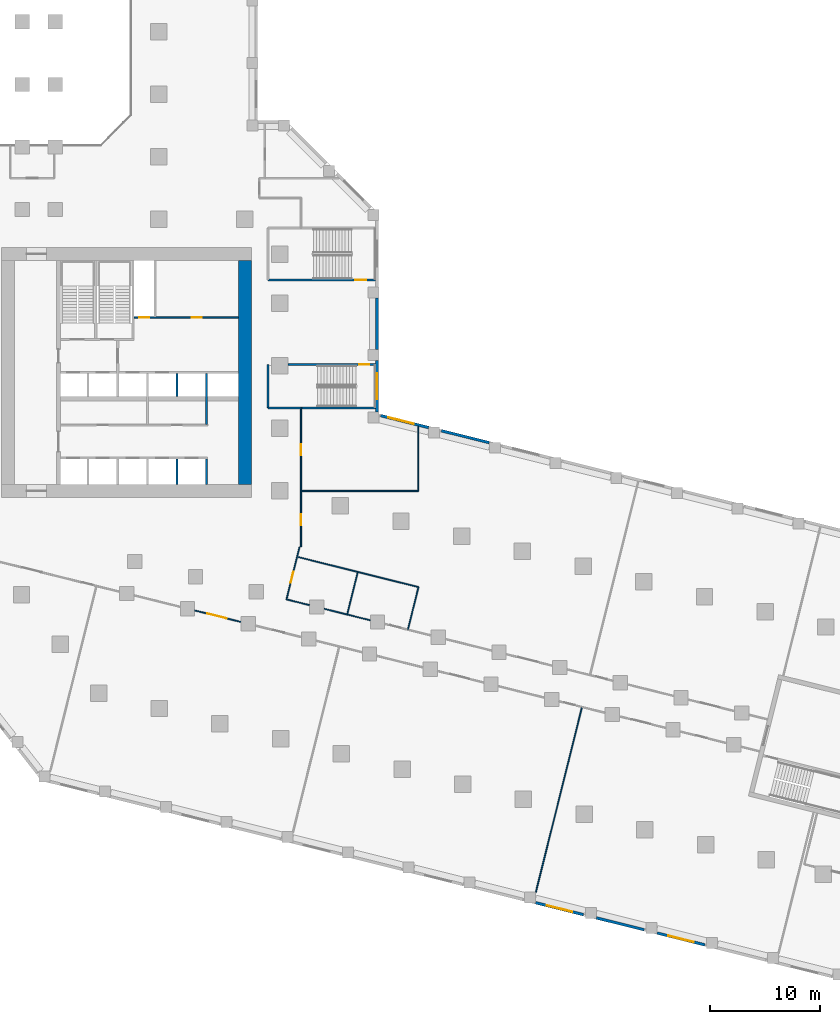
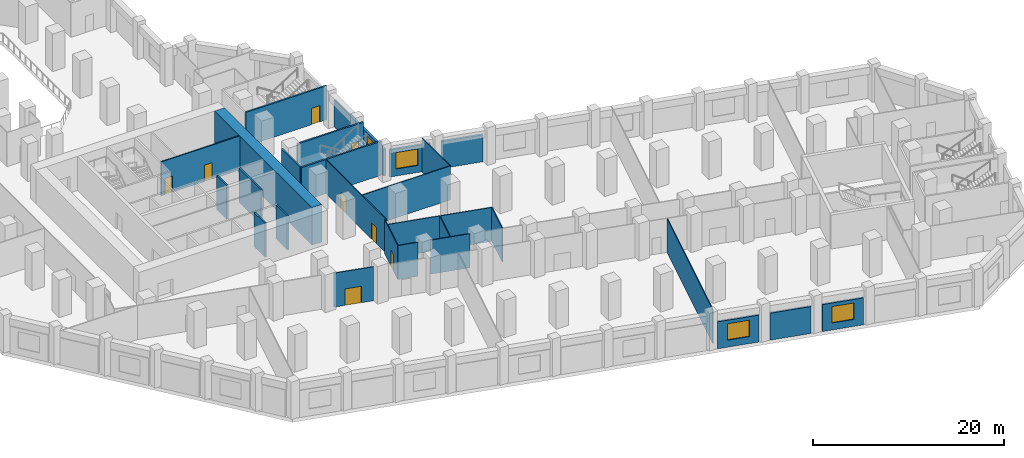
# One storey, part 5 of 16: 29 walls, 8 doors, 4 windows, 12 openings.
"""IFC4 building model written with IfcOpenShell, lengths in metres."""

from ifc_helpers import new_model, si_unit, direction, frame, frame_2d, origin, place, context, subcontext, project, spatial, rectangle, extrude, material, layer, layer_set, type_object, element, fill, save


model = new_model("IFC4")

# Units and contexts
model_context = context("Model", 3, precision=1e-05, world=origin(), true_north=direction((0.0, 1.0)))
body_context = subcontext(model_context, "Body", "Model", "MODEL_VIEW")
ifc_project = project(units=[si_unit("LENGTHUNIT", "METRE"), si_unit("AREAUNIT", "SQUARE_METRE"), si_unit("VOLUMEUNIT", "CUBIC_METRE"), si_unit("PLANEANGLEUNIT", "RADIAN"), si_unit("MASSUNIT", "GRAM", prefix="KILO")], contexts=[model_context])

# Site, building, storey
site_placement = place(None, origin())
site = spatial("IfcSite", under=ifc_project, at=site_placement, CompositionType="ELEMENT")
building_placement = place(site_placement, origin())
building = spatial("IfcBuilding", under=site, at=building_placement, Name="Meshkara Civic Tower", CompositionType="ELEMENT")
storey_placement = place(building_placement, frame((0.0, 0.0, 18.60009765625)))
storey = spatial("IfcBuildingStorey", under=building, at=storey_placement, Name="L03", CompositionType="ELEMENT", Elevation=18.60009765625)

# Wall, openings, doors
ifc_material_1 = material(Name="Blockwork", Category="masonry")
ifc_layer_1 = layer(ifc_material_1, 0.14990234375)
ifc_layer_set_1 = layer_set([ifc_layer_1], Name="Core partition 150")
wall_type_1 = type_object("IfcWallType", Name="Core partition 150", PredefinedType="PARTITIONING", material=ifc_layer_set_1)
wall_1_placement = place(storey_placement, frame((20.10009765625, 30.5, 0.0), z_axis=(0.0, 0.0, 1.0), x_axis=(1.0, 0.0, 0.0)))
wall_1 = element("IfcWall", 1, at=wall_1_placement, inside=storey, type_object=wall_type_1, Name="L03-C010", PredefinedType="PARTITIONING", context=body_context, shape_type="SweptSolid", body=[
    extrude(rectangle(XDim=9.5, YDim=0.14990234375, at=frame_2d((4.75, 0.0))), origin(), (0.0, 0.0, 1.0), 4.349853515625),
])
opening_1_placement = place(wall_1_placement, frame((0.449951171875, 0.0, 0.0)))
opening_1 = element("IfcOpeningElement", 2, at=opening_1_placement, cuts=wall_1, Name="Opening L03-K012", PredefinedType="OPENING", context=body_context, shape_type="SweptSolid", body=[
    extrude(rectangle(XDim=0.89990234375, YDim=2.10009765625, at=frame_2d((0.449951171875, 1.050048828125))), frame((0.0, 0.0849609375, 0.0), z_axis=(0.0, -1.0, 0.0), x_axis=(1.0, 0.0, 0.0)), (0.0, 0.0, 1.0), 0.169921875),
])
opening_2_placement = place(wall_1_placement, frame((5.25, 0.0, 0.0)))
opening_2 = element("IfcOpeningElement", 3, at=opening_2_placement, cuts=wall_1, Name="Opening L03-K013", PredefinedType="OPENING", context=body_context, shape_type="SweptSolid", body=[
    extrude(rectangle(XDim=0.89990234375, YDim=2.10009765625, at=frame_2d((0.449951171875, 1.050048828125))), frame((0.0, 0.0849609375, 0.0), z_axis=(0.0, -1.0, 0.0), x_axis=(1.0, 0.0, 0.0)), (0.0, 0.0, 1.0), 0.169921875),
])
ifc_material_2 = material(Name="Timber door leaf in steel frame", Category="steel")
door_type_1 = type_object("IfcDoorType", Name="Core room door 900", OperationType="SINGLE_SWING_LEFT", PredefinedType="DOOR", material=ifc_material_2)
door_1_placement = place(opening_2_placement, origin())
door_1 = element("IfcDoor", 4, at=door_1_placement, inside=storey, type_object=door_type_1, Name="L03-K013", OperationType="SINGLE_SWING_LEFT", OverallHeight=2.10009765625, OverallWidth=0.89990234375, PredefinedType="DOOR", context=body_context, shape_type="SweptSolid", body=[
    extrude(rectangle(XDim=0.89990234375, YDim=2.10009765625, at=frame_2d((0.449951171875, 1.050048828125))), frame((0.0, 0.02490234375, 0.0), z_axis=(0.0, -1.0, 0.0), x_axis=(1.0, 0.0, 0.0)), (0.0, 0.0, 1.0), 0.050048828125),
])
fill(opening_2, door_1)
ifc_material_3 = material(Name="Fire-rated door leaf in steel frame", Category="steel")
door_type_2 = type_object("IfcDoorType", Name="Riser door 900", OperationType="SINGLE_SWING_LEFT", PredefinedType="DOOR", material=ifc_material_3)
door_2_placement = place(opening_1_placement, origin())
door_2 = element("IfcDoor", 5, at=door_2_placement, inside=storey, type_object=door_type_2, Name="L03-K012", OperationType="SINGLE_SWING_RIGHT", OverallHeight=2.10009765625, OverallWidth=0.89990234375, PredefinedType="DOOR", context=body_context, shape_type="SweptSolid", body=[
    extrude(rectangle(XDim=0.89990234375, YDim=2.10009765625, at=frame_2d((0.449951171875, 1.050048828125))), frame((0.0, 0.02490234375, 0.0), z_axis=(0.0, -1.0, 0.0), x_axis=(1.0, 0.0, 0.0)), (0.0, 0.0, 1.0), 0.050048828125),
])
fill(opening_1, door_2)

# Wall
ifc_material_4 = material(Name="Concrete C80", Category="concrete")
ifc_layer_2 = layer(ifc_material_4, 1.199951171875)
ifc_layer_set_2 = layer_set([ifc_layer_2], Name="Core ring wall 1200 C80")
wall_type_2 = type_object("IfcWallType", Name="Core ring wall 1200 C80", PredefinedType="SHEAR", material=ifc_layer_set_2)
wall_2_placement = place(storey_placement, frame((30.199951171875, 15.300048828125, -0.4501953125), z_axis=(0.0, 0.0, 1.0), x_axis=(0.0, 1.0, 0.0)))
element("IfcWall", 6, at=wall_2_placement, inside=storey, type_object=wall_type_2, Name="L03-C004", PredefinedType="SHEAR", context=body_context, shape_type="SweptSolid", body=[
    extrude(rectangle(XDim=20.39990234375, YDim=1.199951171875, at=frame_2d((10.199951171875, 0.0))), origin(), (0.0, 0.0, 1.0), 4.800048828125),
])

# Wall, opening, door
ifc_material_5 = material(Name="Corridor wall 100")
ifc_layer_3 = layer(ifc_material_5, 0.10009765625)
ifc_layer_set_3 = layer_set([ifc_layer_3], Name="Corridor wall 100")
wall_type_3 = type_object("IfcWallType", Name="Corridor wall 100", PredefinedType="PARTITIONING", material=ifc_layer_set_3)
wall_3_placement = place(storey_placement, frame((25.6240234375, 3.81396484375, 0.0), z_axis=(0.0, 0.0, 1.0), x_axis=(0.970348308202, -0.24171090329, 0.0)))
wall_3 = element("IfcWall", 7, at=wall_3_placement, inside=storey, type_object=wall_type_3, Name="L03-R034", PredefinedType="PARTITIONING", context=body_context, shape_type="SweptSolid", body=[
    extrude(rectangle(XDim=4.319091796875, YDim=0.10009765625, at=frame_2d((2.15966796875, 0.0))), origin(), (0.0, 0.0, 1.0), 4.349853515625),
])
opening_3_placement = place(wall_3_placement, frame((1.179931640625, 0.0, 0.0)))
opening_3 = element("IfcOpeningElement", 8, at=opening_3_placement, cuts=wall_3, Name="Opening L03-P013", PredefinedType="OPENING", context=body_context, shape_type="SweptSolid", body=[
    extrude(rectangle(XDim=1.800048828125, YDim=2.10009765625, at=frame_2d((0.89990234375, 1.050048828125))), frame((0.0, 0.06005859375, 0.0), z_axis=(0.0, -1.0, 0.0), x_axis=(1.0, 0.0, 0.0)), (0.0, 0.0, 1.0), 0.1201171875),
])
ifc_material_6 = material(Name="Door pair 1800 x 2100")
door_type_3 = type_object("IfcDoorType", Name="Door pair 1800 x 2100", OperationType="SINGLE_SWING_LEFT", PredefinedType="DOOR", material=ifc_material_6)
door_3_placement = place(opening_3_placement, origin())
door_3 = element("IfcDoor", 9, at=door_3_placement, inside=storey, type_object=door_type_3, Name="L03-P013", OperationType="DOUBLE_DOOR_SINGLE_SWING", OverallHeight=2.10009765625, OverallWidth=1.800048828125, PredefinedType="DOOR", context=body_context, shape_type="SweptSolid", body=[
    extrude(rectangle(XDim=1.800048828125, YDim=2.10009765625, at=frame_2d((0.89990234375, 1.050048828125))), frame((0.0, 0.02490234375, 0.0), z_axis=(0.0, -1.0, 0.0), x_axis=(1.0, 0.0, 0.0)), (0.0, 0.0, 1.0), 0.050048828125),
])
fill(opening_3, door_3)

wall_4_placement = place(storey_placement, frame((33.97607421875, 4.823974609375, 0.0), z_axis=(0.0, 0.0, 1.0), x_axis=(0.241940400058, 0.970291112409, 0.0)))
wall_4 = element("IfcWall", 10, at=wall_4_placement, inside=storey, type_object=wall_type_3, Name="L03-R045", PredefinedType="PARTITIONING", context=body_context, shape_type="SweptSolid", body=[
    extrude(rectangle(XDim=4.92236328125, YDim=0.10009765625, at=frame_2d((2.461181640625, 0.0))), origin(), (0.0, 0.0, 1.0), 4.349853515625),
])
opening_4_placement = place(wall_4_placement, frame((1.580078125, 0.0, 0.0)))
opening_4 = element("IfcOpeningElement", 11, at=opening_4_placement, cuts=wall_4, Name="Opening L03-P019", PredefinedType="OPENING", context=body_context, shape_type="SweptSolid", body=[
    extrude(rectangle(XDim=1.0, YDim=2.10009765625, at=frame_2d((0.5, 1.050048828125))), frame((0.0, 0.06005859375, 0.0), z_axis=(0.0, -1.0, 0.0), x_axis=(1.0, 0.0, 0.0)), (0.0, 0.0, 1.0), 0.1201171875),
])
ifc_material_7 = material(Name="Door 1000 x 2100")
door_type_4 = type_object("IfcDoorType", Name="Door 1000 x 2100", OperationType="SINGLE_SWING_LEFT", PredefinedType="DOOR", material=ifc_material_7)
door_4_placement = place(opening_4_placement, origin())
door_4 = element("IfcDoor", 12, at=door_4_placement, inside=storey, type_object=door_type_4, Name="L03-P019", OperationType="SINGLE_SWING_RIGHT", OverallHeight=2.10009765625, OverallWidth=1.0, PredefinedType="DOOR", context=body_context, shape_type="SweptSolid", body=[
    extrude(rectangle(XDim=1.0, YDim=2.10009765625, at=frame_2d((0.5, 1.050048828125))), frame((0.0, 0.02490234375, 0.0), z_axis=(0.0, -1.0, 0.0), x_axis=(1.0, 0.0, 0.0)), (0.0, 0.0, 1.0), 0.050048828125),
])
fill(opening_4, door_4)

# Wall, openings, doors
wall_5_placement = place(storey_placement, frame((35.300048828125, 9.60009765625, 0.0), z_axis=(0.0, 0.0, 1.0), x_axis=(0.0, 1.0, 0.0)))
wall_5 = element("IfcWall", 13, at=wall_5_placement, inside=storey, type_object=wall_type_3, Name="L03-R047", PredefinedType="PARTITIONING", context=body_context, shape_type="SweptSolid", body=[
    extrude(rectangle(XDim=12.6748046875, YDim=0.10009765625, at=frame_2d((6.33740234375, 0.0))), origin(), (0.0, 0.0, 1.0), 4.349853515625),
])
opening_5_placement = place(wall_5_placement, frame((1.97998046875, 0.0, 0.0)))
opening_5 = element("IfcOpeningElement", 14, at=opening_5_placement, cuts=wall_5, Name="Opening L03-P020", PredefinedType="OPENING", context=body_context, shape_type="SweptSolid", body=[
    extrude(rectangle(XDim=1.0, YDim=2.10009765625, at=frame_2d((0.5, 1.050048828125))), frame((0.0, 0.06005859375, 0.0), z_axis=(0.0, -1.0, 0.0), x_axis=(1.0, 0.0, 0.0)), (0.0, 0.0, 1.0), 0.1201171875),
])
opening_6_placement = place(wall_5_placement, frame((8.3798828125, 0.0, 0.0)))
opening_6 = element("IfcOpeningElement", 15, at=opening_6_placement, cuts=wall_5, Name="Opening L03-P022", PredefinedType="OPENING", context=body_context, shape_type="SweptSolid", body=[
    extrude(rectangle(XDim=1.0, YDim=2.10009765625, at=frame_2d((0.5, 1.050048828125))), frame((0.0, 0.06005859375, 0.0), z_axis=(0.0, -1.0, 0.0), x_axis=(1.0, 0.0, 0.0)), (0.0, 0.0, 1.0), 0.1201171875),
])
door_5_placement = place(opening_5_placement, origin())
door_5 = element("IfcDoor", 16, at=door_5_placement, inside=storey, type_object=door_type_4, Name="L03-P020", OperationType="SINGLE_SWING_LEFT", OverallHeight=2.10009765625, OverallWidth=1.0, PredefinedType="DOOR", context=body_context, shape_type="SweptSolid", body=[
    extrude(rectangle(XDim=1.0, YDim=2.10009765625, at=frame_2d((0.5, 1.050048828125))), frame((0.0, 0.02490234375, 0.0), z_axis=(0.0, -1.0, 0.0), x_axis=(1.0, 0.0, 0.0)), (0.0, 0.0, 1.0), 0.050048828125),
])
fill(opening_5, door_5)
door_6_placement = place(opening_6_placement, origin())
door_6 = element("IfcDoor", 17, at=door_6_placement, inside=storey, type_object=door_type_4, Name="L03-P022", OperationType="SINGLE_SWING_LEFT", OverallHeight=2.10009765625, OverallWidth=1.0, PredefinedType="DOOR", context=body_context, shape_type="SweptSolid", body=[
    extrude(rectangle(XDim=1.0, YDim=2.10009765625, at=frame_2d((0.5, 1.050048828125))), frame((0.0, 0.02490234375, 0.0), z_axis=(0.0, -1.0, 0.0), x_axis=(1.0, 0.0, 0.0)), (0.0, 0.0, 1.0), 0.050048828125),
])
fill(opening_6, door_6)

# Walls
wall_6_placement = place(storey_placement, frame((36.072021484375, 4.301025390625, 0.0), z_axis=(0.0, 0.0, 1.0), x_axis=(-0.970255412337, 0.242083528623, 0.0)))
element("IfcWall", 18, at=wall_6_placement, inside=storey, type_object=wall_type_3, Name="L03-R051", PredefinedType="PARTITIONING", context=body_context, shape_type="SweptSolid", body=[
    extrude(rectangle(XDim=2.16015625, YDim=0.10009765625, at=frame_2d((1.080078125, 0.0))), origin(), (0.0, 0.0, 1.0), 4.349853515625),
])
wall_7_placement = place(storey_placement, frame((37.412109375, 3.967041015625, 0.0), z_axis=(0.0, 0.0, 1.0), x_axis=(0.970335093604, -0.241763947107, 0.0)))
element("IfcWall", 19, at=wall_7_placement, inside=storey, type_object=wall_type_3, Name="L03-R053", PredefinedType="PARTITIONING", context=body_context, shape_type="SweptSolid", body=[
    extrude(rectangle(XDim=4.318115234375, YDim=0.10009765625, at=frame_2d((2.1591796875, 0.0))), origin(), (0.0, 0.0, 1.0), 4.349853515625),
])

# Wall, opening, window
ifc_material_8 = material(Name="Stone cladding on insulated backing wall", Category="masonry")
ifc_layer_4 = layer(ifc_material_8, 0.25)
ifc_layer_set_4 = layer_set([ifc_layer_4], Name="PODIUM STONE WALL 250")
wall_type_4 = type_object("IfcWallType", Name="PODIUM STONE WALL 250", PredefinedType="SOLIDWALL", material=ifc_layer_set_4)
wall_8_placement = place(storey_placement, frame((56.680908203125, -22.81494140625, 0.0), z_axis=(0.0, 0.0, 1.0), x_axis=(0.970276766004, -0.241997928406, 0.0)))
wall_8 = element("IfcWall", 20, at=wall_8_placement, inside=storey, type_object=wall_type_4, Name="Podium external wall", PredefinedType="SOLIDWALL", context=body_context, shape_type="SweptSolid", body=[
    extrude(rectangle(XDim=4.4873046875, YDim=0.25, at=frame_2d((2.24365234375, 0.0))), origin(), (0.0, 0.0, 1.0), 3.449951171875),
])
opening_7_placement = place(wall_8_placement, frame((1.0439453125, 0.0, 0.89990234375)))
opening_7 = element("IfcOpeningElement", 21, at=opening_7_placement, cuts=wall_8, Name="Opening PW10", PredefinedType="OPENING", context=body_context, shape_type="SweptSolid", body=[
    extrude(rectangle(XDim=2.39990234375, YDim=2.10009765625, at=frame_2d((1.199951171875, 1.050048828125))), frame((0.0, 0.135009765625, 0.0), z_axis=(0.0, -1.0, 0.0), x_axis=(1.0, 0.0, 0.0)), (0.0, 0.0, 1.0), 0.27001953125),
])
ifc_material_9 = material(Name="Tinted double glazing", Category="glass")
window_type = type_object("IfcWindowType", Name="PODIUM WINDOW 2400x2100", PartitioningType="DOUBLE_PANEL_VERTICAL", PredefinedType="WINDOW", material=ifc_material_9)
window_1_placement = place(opening_7_placement, origin())
window_1 = element("IfcWindow", 22, at=window_1_placement, inside=storey, type_object=window_type, Name="Podium window", OverallHeight=2.10009765625, OverallWidth=2.39990234375, PartitioningType="DOUBLE_PANEL_VERTICAL", PredefinedType="WINDOW", context=body_context, shape_type="SweptSolid", body=[
    extrude(rectangle(XDim=2.39990234375, YDim=2.10009765625, at=frame_2d((1.199951171875, 1.050048828125))), frame((0.0, 0.030029296875, 0.0), z_axis=(0.0, -1.0, 0.0), x_axis=(1.0, 0.0, 0.0)), (0.0, 0.0, 1.0), 0.06005859375),
])
fill(opening_7, window_1)

# Wall
wall_9_placement = place(storey_placement, frame((62.2109375, -24.194091796875, 0.0), z_axis=(0.0, 0.0, 1.0), x_axis=(0.970289506684, -0.241946839653, 0.0)))
element("IfcWall", 23, at=wall_9_placement, inside=storey, type_object=wall_type_4, Name="Podium external wall", PredefinedType="SOLIDWALL", context=body_context, shape_type="SweptSolid", body=[
    extrude(rectangle(XDim=4.48828125, YDim=0.25, at=frame_2d((2.244140625, 0.0))), origin(), (0.0, 0.0, 1.0), 3.449951171875),
])

# Wall, opening, window
wall_10_placement = place(storey_placement, frame((67.741943359375, -25.572998046875, 0.0), z_axis=(0.0, 0.0, 1.0), x_axis=(0.970289506684, -0.241946839653, 0.0)))
wall_10 = element("IfcWall", 24, at=wall_10_placement, inside=storey, type_object=wall_type_4, Name="Podium external wall", PredefinedType="SOLIDWALL", context=body_context, shape_type="SweptSolid", body=[
    extrude(rectangle(XDim=4.48828125, YDim=0.25, at=frame_2d((2.244140625, 0.0))), origin(), (0.0, 0.0, 1.0), 3.449951171875),
])
opening_8_placement = place(wall_10_placement, frame((1.0439453125, 0.0, 0.89990234375)))
opening_8 = element("IfcOpeningElement", 25, at=opening_8_placement, cuts=wall_10, Name="Opening PW10", PredefinedType="OPENING", context=body_context, shape_type="SweptSolid", body=[
    extrude(rectangle(XDim=2.39990234375, YDim=2.10009765625, at=frame_2d((1.199951171875, 1.050048828125))), frame((0.0, 0.135009765625, 0.0), z_axis=(0.0, -1.0, 0.0), x_axis=(1.0, 0.0, 0.0)), (0.0, 0.0, 1.0), 0.27001953125),
])
window_2_placement = place(opening_8_placement, origin())
window_2 = element("IfcWindow", 26, at=window_2_placement, inside=storey, type_object=window_type, Name="Podium window", OverallHeight=2.10009765625, OverallWidth=2.39990234375, PartitioningType="DOUBLE_PANEL_VERTICAL", PredefinedType="WINDOW", context=body_context, shape_type="SweptSolid", body=[
    extrude(rectangle(XDim=2.39990234375, YDim=2.10009765625, at=frame_2d((1.199951171875, 1.050048828125))), frame((0.0, 0.030029296875, 0.0), z_axis=(0.0, -1.0, 0.0), x_axis=(1.0, 0.0, 0.0)), (0.0, 0.0, 1.0), 0.06005859375),
])
fill(opening_8, window_2)

# Wall
wall_11_placement = place(storey_placement, frame((52.451904296875, 19.10302734375, 0.0), z_axis=(0.0, 0.0, 1.0), x_axis=(-0.970276766004, 0.241997928406, 0.0)))
element("IfcWall", 27, at=wall_11_placement, inside=storey, type_object=wall_type_4, Name="Podium external wall", PredefinedType="SOLIDWALL", context=body_context, shape_type="SweptSolid", body=[
    extrude(rectangle(XDim=4.4873046875, YDim=0.25, at=frame_2d((2.24365234375, 0.0))), origin(), (0.0, 0.0, 1.0), 3.449951171875),
])

# Wall, opening, window
wall_12_placement = place(storey_placement, frame((46.922119140625, 20.48193359375, 0.0), z_axis=(0.0, 0.0, 1.0), x_axis=(-0.970279921141, 0.241985277715, 0.0)))
wall_12 = element("IfcWall", 28, at=wall_12_placement, inside=storey, type_object=wall_type_4, Name="Podium external wall", PredefinedType="SOLIDWALL", context=body_context, shape_type="SweptSolid", body=[
    extrude(rectangle(XDim=4.488525390625, YDim=0.25, at=frame_2d((2.244140625, 0.0))), origin(), (0.0, 0.0, 1.0), 3.449951171875),
])
opening_9_placement = place(wall_12_placement, frame((1.39697265625, 0.0, 0.89990234375)))
opening_9 = element("IfcOpeningElement", 29, at=opening_9_placement, cuts=wall_12, Name="Opening PW10", PredefinedType="OPENING", context=body_context, shape_type="SweptSolid", body=[
    extrude(rectangle(XDim=2.39990234375, YDim=2.10009765625, at=frame_2d((1.199951171875, 1.050048828125))), frame((0.0, 0.135009765625, 0.0), z_axis=(0.0, -1.0, 0.0), x_axis=(1.0, 0.0, 0.0)), (0.0, 0.0, 1.0), 0.27001953125),
])
window_3_placement = place(opening_9_placement, origin())
window_3 = element("IfcWindow", 30, at=window_3_placement, inside=storey, type_object=window_type, Name="Podium window", OverallHeight=2.10009765625, OverallWidth=2.39990234375, PartitioningType="DOUBLE_PANEL_VERTICAL", PredefinedType="WINDOW", context=body_context, shape_type="SweptSolid", body=[
    extrude(rectangle(XDim=2.39990234375, YDim=2.10009765625, at=frame_2d((1.199951171875, 1.050048828125))), frame((0.0, 0.030029296875, 0.0), z_axis=(0.0, -1.0, 0.0), x_axis=(1.0, 0.0, 0.0)), (0.0, 0.0, 1.0), 0.06005859375),
])
fill(opening_9, window_3)

wall_13_placement = place(storey_placement, frame((42.22509765625, 21.89892578125, 0.0), z_axis=(0.0, 0.0, 1.0), x_axis=(0.0, 1.0, 0.0)))
wall_13 = element("IfcWall", 31, at=wall_13_placement, inside=storey, type_object=wall_type_4, Name="Podium external wall", PredefinedType="SOLIDWALL", context=body_context, shape_type="SweptSolid", body=[
    extrude(rectangle(XDim=4.7001953125, YDim=0.25, at=frame_2d((2.35009765625, 0.0))), origin(), (0.0, 0.0, 1.0), 3.449951171875),
])
opening_10_placement = place(wall_13_placement, frame((1.14990234375, 0.0, 0.89990234375)))
opening_10 = element("IfcOpeningElement", 32, at=opening_10_placement, cuts=wall_13, Name="Opening PW10", PredefinedType="OPENING", context=body_context, shape_type="SweptSolid", body=[
    extrude(rectangle(XDim=2.39990234375, YDim=2.10009765625, at=frame_2d((1.199951171875, 1.050048828125))), frame((0.0, 0.135009765625, 0.0), z_axis=(0.0, -1.0, 0.0), x_axis=(1.0, 0.0, 0.0)), (0.0, 0.0, 1.0), 0.27001953125),
])
window_4_placement = place(opening_10_placement, origin())
window_4 = element("IfcWindow", 33, at=window_4_placement, inside=storey, type_object=window_type, Name="Podium window", OverallHeight=2.10009765625, OverallWidth=2.39990234375, PartitioningType="DOUBLE_PANEL_VERTICAL", PredefinedType="WINDOW", context=body_context, shape_type="SweptSolid", body=[
    extrude(rectangle(XDim=2.39990234375, YDim=2.10009765625, at=frame_2d((1.199951171875, 1.050048828125))), frame((0.0, 0.030029296875, 0.0), z_axis=(0.0, -1.0, 0.0), x_axis=(1.0, 0.0, 0.0)), (0.0, 0.0, 1.0), 0.06005859375),
])
fill(opening_10, window_4)

# Walls
wall_14_placement = place(storey_placement, frame((42.22509765625, 27.59912109375, 0.0), z_axis=(0.0, 0.0, 1.0), x_axis=(0.0, 1.0, 0.0)))
element("IfcWall", 34, at=wall_14_placement, inside=storey, type_object=wall_type_4, Name="Podium external wall", PredefinedType="SOLIDWALL", context=body_context, shape_type="SweptSolid", body=[
    extrude(rectangle(XDim=4.699951171875, YDim=0.25, at=frame_2d((2.35009765625, 0.0))), origin(), (0.0, 0.0, 1.0), 3.449951171875),
])
ifc_material_10 = material(Name="Partition 100")
ifc_layer_5 = layer(ifc_material_10, 0.10009765625)
ifc_layer_set_5 = layer_set([ifc_layer_5], Name="Partition 100")
wall_type_5 = type_object("IfcWallType", Name="Partition 100", PredefinedType="PARTITIONING", material=ifc_layer_set_5)
wall_15_placement = place(storey_placement, frame((34.992919921875, 8.693115234375, 0.0), z_axis=(0.0, 0.0, 1.0), x_axis=(0.97029161727, -0.241938375328, 0.0)))
element("IfcWall", 35, at=wall_15_placement, inside=storey, type_object=wall_type_5, Name="L03-R093", PredefinedType="PARTITIONING", context=body_context, shape_type="SweptSolid", body=[
    extrude(rectangle(XDim=11.350341796875, YDim=0.10009765625, at=frame_2d((5.67529296875, 0.0))), origin(), (0.0, 0.0, 1.0), 4.349853515625),
])
wall_16_placement = place(storey_placement, frame((35.35009765625, 14.699951171875, 0.0), z_axis=(0.0, 0.0, 1.0), x_axis=(1.0, 0.0, 0.0)))
element("IfcWall", 36, at=wall_16_placement, inside=storey, type_object=wall_type_5, Name="L03-R095", PredefinedType="PARTITIONING", context=body_context, shape_type="SweptSolid", body=[
    extrude(rectangle(XDim=10.64990234375, YDim=0.10009765625, at=frame_2d((5.324951171875, 0.0))), origin(), (0.0, 0.0, 1.0), 4.349853515625),
])
wall_17_placement = place(storey_placement, frame((39.51904296875, 3.493896484375, 0.0), z_axis=(0.0, 0.0, 1.0), x_axis=(0.242064152871, 0.970260246478, 0.0)))
element("IfcWall", 37, at=wall_17_placement, inside=storey, type_object=wall_type_5, Name="L03-R097", PredefinedType="PARTITIONING", context=body_context, shape_type="SweptSolid", body=[
    extrude(rectangle(XDim=3.899169921875, YDim=0.10009765625, at=frame_2d((1.94970703125, 0.0))), origin(), (0.0, 0.0, 1.0), 4.349853515625),
])
wall_18_placement = place(storey_placement, frame((45.050048828125, 2.114990234375, 0.0), z_axis=(0.0, 0.0, 1.0), x_axis=(0.242070161495, 0.970258747404, 0.0)))
element("IfcWall", 38, at=wall_18_placement, inside=storey, type_object=wall_type_5, Name="L03-R099", PredefinedType="PARTITIONING", context=body_context, shape_type="SweptSolid", body=[
    extrude(rectangle(XDim=3.949462890625, YDim=0.10009765625, at=frame_2d((1.974609375, 0.0))), origin(), (0.0, 0.0, 1.0), 4.349853515625),
])
wall_19_placement = place(storey_placement, frame((46.0, 14.699951171875, 0.0), z_axis=(0.0, 0.0, 1.0), x_axis=(0.0, 1.0, 0.0)))
element("IfcWall", 39, at=wall_19_placement, inside=storey, type_object=wall_type_5, Name="L03-R100", PredefinedType="PARTITIONING", context=body_context, shape_type="SweptSolid", body=[
    extrude(rectangle(XDim=5.883056640625, YDim=0.10009765625, at=frame_2d((2.94140625, 0.0))), origin(), (0.0, 0.0, 1.0), 4.349853515625),
])
wall_20_placement = place(storey_placement, frame((56.69189453125, -21.875, 0.0), z_axis=(0.0, 0.0, 1.0), x_axis=(0.241949873986, 0.970288750052, 0.0)))
element("IfcWall", 40, at=wall_20_placement, inside=storey, type_object=wall_type_5, Name="L03-R101", PredefinedType="PARTITIONING", context=body_context, shape_type="SweptSolid", body=[
    extrude(rectangle(XDim=17.35986328125, YDim=0.10009765625, at=frame_2d((8.679931640625, 0.0))), origin(), (0.0, 0.0, 1.0), 4.349853515625),
])
ifc_material_11 = material(Name="Concrete C40/50", Category="concrete")
ifc_layer_6 = layer(ifc_material_11, 0.199951171875)
ifc_layer_set_6 = layer_set([ifc_layer_6], Name="Shaft wall 200 C40/50")
wall_type_6 = type_object("IfcWallType", Name="Shaft wall 200 C40/50", PredefinedType="SOLIDWALL", material=ifc_layer_set_6)
wall_21_placement = place(storey_placement, frame((24.0, 15.300048828125, 0.0), z_axis=(0.0, 0.0, 1.0), x_axis=(0.0, 1.0, 0.0)))
element("IfcWall", 41, at=wall_21_placement, inside=storey, type_object=wall_type_6, Name="L03-C021", PredefinedType="SOLIDWALL", context=body_context, shape_type="SweptSolid", body=[
    extrude(rectangle(XDim=2.300048828125, YDim=0.199951171875, at=frame_2d((1.14990234375, 0.0))), origin(), (0.0, 0.0, 1.0), 4.349853515625),
])
wall_22_placement = place(storey_placement, frame((24.0, 23.300048828125, 0.0), z_axis=(0.0, 0.0, 1.0), x_axis=(0.0, 1.0, 0.0)))
element("IfcWall", 42, at=wall_22_placement, inside=storey, type_object=wall_type_6, Name="L03-C022", PredefinedType="SOLIDWALL", context=body_context, shape_type="SweptSolid", body=[
    extrude(rectangle(XDim=2.099853515625, YDim=0.199951171875, at=frame_2d((1.0498046875, 0.0))), origin(), (0.0, 0.0, 1.0), 4.349853515625),
])
wall_23_placement = place(storey_placement, frame((26.699951171875, 15.300048828125, 0.0), z_axis=(0.0, 0.0, 1.0), x_axis=(0.0, 1.0, 0.0)))
element("IfcWall", 43, at=wall_23_placement, inside=storey, type_object=wall_type_6, Name="L03-C023", PredefinedType="SOLIDWALL", context=body_context, shape_type="SweptSolid", body=[
    extrude(rectangle(XDim=2.300048828125, YDim=0.199951171875, at=frame_2d((1.14990234375, 0.0))), origin(), (0.0, 0.0, 1.0), 4.349853515625),
])
wall_24_placement = place(storey_placement, frame((26.699951171875, 20.77490234375, 0.0), z_axis=(0.0, 0.0, 1.0), x_axis=(0.0, 1.0, 0.0)))
element("IfcWall", 44, at=wall_24_placement, inside=storey, type_object=wall_type_6, Name="L03-C024", PredefinedType="SOLIDWALL", context=body_context, shape_type="SweptSolid", body=[
    extrude(rectangle(XDim=4.625, YDim=0.199951171875, at=frame_2d((2.3125, 0.0))), origin(), (0.0, 0.0, 1.0), 4.349853515625),
])
ifc_material_12 = material(Name="Concrete C40/50", Category="concrete")
ifc_layer_7 = layer(ifc_material_12, 0.199951171875)
ifc_layer_set_7 = layer_set([ifc_layer_7], Name="Stair enclosure wall 200 C40/50")
wall_type_7 = type_object("IfcWallType", Name="Stair enclosure wall 200 C40/50", PredefinedType="SOLIDWALL", material=ifc_layer_set_7)
wall_25_placement = place(storey_placement, frame((32.300048828125, 22.27490234375, 0.0), z_axis=(0.0, 0.0, 1.0), x_axis=(0.0, 1.0, 0.0)))
element("IfcWall", 45, at=wall_25_placement, inside=storey, type_object=wall_type_7, Name="L03-R042", PredefinedType="SOLIDWALL", context=body_context, shape_type="SweptSolid", body=[
    extrude(rectangle(XDim=3.9501953125, YDim=0.199951171875, at=frame_2d((1.97509765625, 0.0))), origin(), (0.0, 0.0, 1.0), 4.349853515625),
])

# Wall, opening, door
wall_26_placement = place(storey_placement, frame((34.1201171875, 26.22509765625, 0.0), z_axis=(0.0, 0.0, 1.0), x_axis=(1.0, 0.0, 0.0)))
wall_26 = element("IfcWall", 46, at=wall_26_placement, inside=storey, type_object=wall_type_7, Name="L03-R046", PredefinedType="SOLIDWALL", context=body_context, shape_type="SweptSolid", body=[
    extrude(rectangle(XDim=7.97998046875, YDim=0.199951171875, at=frame_2d((3.989990234375, 0.0))), origin(), (0.0, 0.0, 1.0), 4.349853515625),
])
opening_11_placement = place(wall_26_placement, frame((6.5, 0.0, 0.0)))
opening_11 = element("IfcOpeningElement", 47, at=opening_11_placement, cuts=wall_26, Name="Opening L03-P023", PredefinedType="OPENING", context=body_context, shape_type="SweptSolid", body=[
    extrude(rectangle(XDim=0.89990234375, YDim=2.10009765625, at=frame_2d((0.449951171875, 1.050048828125))), frame((0.0, 0.10986328125, 0.0), z_axis=(0.0, -1.0, 0.0), x_axis=(1.0, 0.0, 0.0)), (0.0, 0.0, 1.0), 0.219970703125),
])
door_7_placement = place(opening_11_placement, origin())
door_7 = element("IfcDoor", 48, at=door_7_placement, inside=storey, type_object=door_type_4, Name="L03-P023", OperationType="SINGLE_SWING_LEFT", OverallHeight=2.10009765625, OverallWidth=0.89990234375, PredefinedType="DOOR", context=body_context, shape_type="SweptSolid", body=[
    extrude(rectangle(XDim=0.89990234375, YDim=2.10009765625, at=frame_2d((0.449951171875, 1.050048828125))), frame((0.0, 0.02490234375, 0.0), z_axis=(0.0, -1.0, 0.0), x_axis=(1.0, 0.0, 0.0)), (0.0, 0.0, 1.0), 0.050048828125),
])
fill(opening_11, door_7)

# Wall
wall_27_placement = place(storey_placement, frame((35.300048828125, 22.27490234375, 0.0), z_axis=(0.0, 0.0, 1.0), x_axis=(-1.0, 0.0, 0.0)))
element("IfcWall", 49, at=wall_27_placement, inside=storey, type_object=wall_type_7, Name="L03-R048", PredefinedType="SOLIDWALL", context=body_context, shape_type="SweptSolid", body=[
    extrude(rectangle(XDim=3.0, YDim=0.199951171875, at=frame_2d((1.5, 0.0))), origin(), (0.0, 0.0, 1.0), 4.349853515625),
])

# Wall, opening, door
wall_28_placement = place(storey_placement, frame((42.10009765625, 33.925048828125, 0.0), z_axis=(0.0, 0.0, 1.0), x_axis=(-1.0, 0.0, 0.0)))
wall_28 = element("IfcWall", 50, at=wall_28_placement, inside=storey, type_object=wall_type_7, Name="L03-R054", PredefinedType="SOLIDWALL", context=body_context, shape_type="SweptSolid", body=[
    extrude(rectangle(XDim=9.800048828125, YDim=0.199951171875, at=frame_2d((4.89990234375, 0.0))), origin(), (0.0, 0.0, 1.0), 4.349853515625),
])
opening_12_placement = place(wall_28_placement, frame((0.85009765625, 0.0, 0.0)))
opening_12 = element("IfcOpeningElement", 51, at=opening_12_placement, cuts=wall_28, Name="Opening L03-P025", PredefinedType="OPENING", context=body_context, shape_type="SweptSolid", body=[
    extrude(rectangle(XDim=1.0, YDim=2.10009765625, at=frame_2d((0.5, 1.050048828125))), frame((0.0, 0.10986328125, 0.0), z_axis=(0.0, -1.0, 0.0), x_axis=(1.0, 0.0, 0.0)), (0.0, 0.0, 1.0), 0.219970703125),
])
door_8_placement = place(opening_12_placement, origin())
door_8 = element("IfcDoor", 52, at=door_8_placement, inside=storey, type_object=door_type_4, Name="L03-P025", OperationType="SINGLE_SWING_LEFT", OverallHeight=2.10009765625, OverallWidth=1.0, PredefinedType="DOOR", context=body_context, shape_type="SweptSolid", body=[
    extrude(rectangle(XDim=1.0, YDim=2.10009765625, at=frame_2d((0.5, 1.050048828125))), frame((0.0, 0.02490234375, 0.0), z_axis=(0.0, -1.0, 0.0), x_axis=(1.0, 0.0, 0.0)), (0.0, 0.0, 1.0), 0.050048828125),
])
fill(opening_12, door_8)

# Wall
wall_29_placement = place(storey_placement, frame((35.300048828125, 22.27490234375, 0.0), z_axis=(0.0, 0.0, 1.0), x_axis=(1.0, 0.0, 0.0)))
element("IfcWall", 53, at=wall_29_placement, inside=storey, type_object=wall_type_7, Name="L03-R094", PredefinedType="SOLIDWALL", context=body_context, shape_type="SweptSolid", body=[
    extrude(rectangle(XDim=6.800048828125, YDim=0.199951171875, at=frame_2d((3.39990234375, 0.0))), origin(), (0.0, 0.0, 1.0), 4.349853515625),
])

save(model, "model.ifc")
